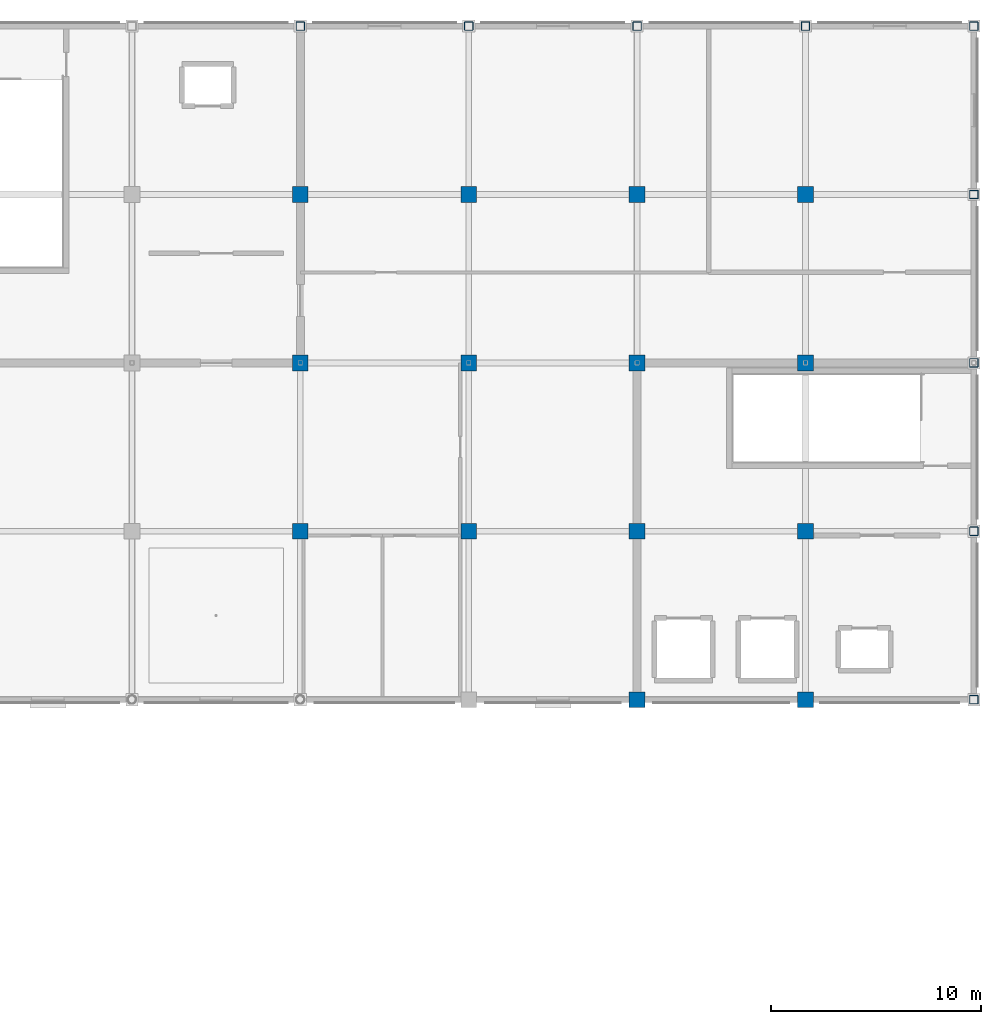
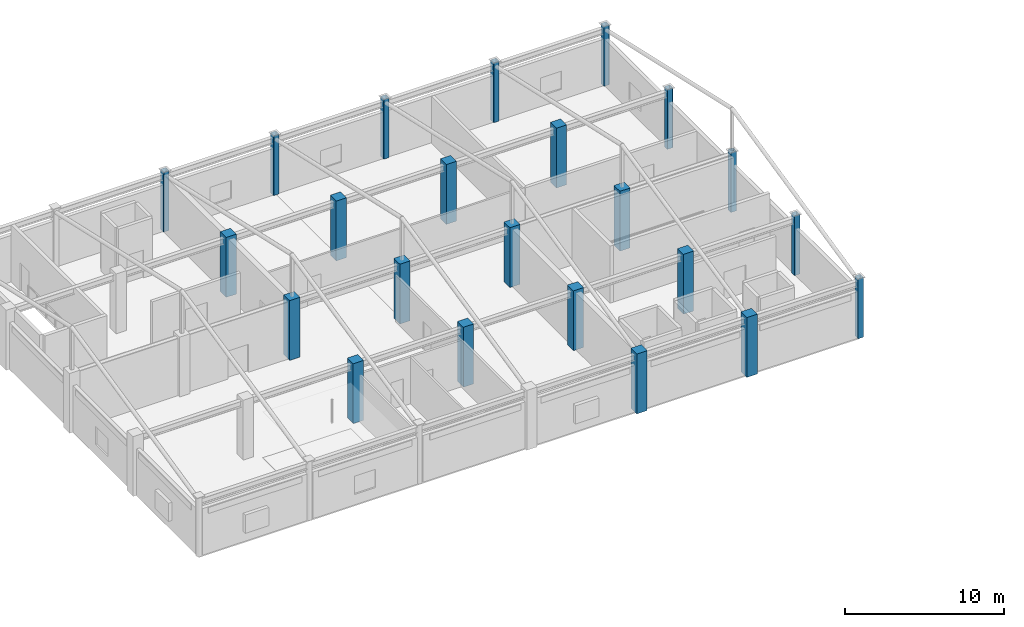
# One storey, part 3 of 16: 23 columns.
"""IFC4 building model written with IfcOpenShell, lengths in metres."""

from ifc_helpers import new_model, si_unit, direction, frame, origin, origin_2d, place, context, subcontext, project, spatial, rectangle, hollow_rectangle, extrude, material, material_profile, profile_set, type_object, element, save


model = new_model("IFC4")

# Units and contexts
model_context = context("Model", 3, precision=1e-05, world=origin(), true_north=direction((0.0, 1.0)))
body_context = subcontext(model_context, "Body", "Model", "MODEL_VIEW")
ifc_project = project(units=[si_unit("LENGTHUNIT", "METRE"), si_unit("AREAUNIT", "SQUARE_METRE"), si_unit("VOLUMEUNIT", "CUBIC_METRE"), si_unit("PLANEANGLEUNIT", "RADIAN"), si_unit("MASSUNIT", "GRAM", prefix="KILO")], contexts=[model_context])

# Site, building, storey
site_placement = place(None, origin())
site = spatial("IfcSite", under=ifc_project, at=site_placement, CompositionType="ELEMENT")
building_placement = place(site_placement, origin())
building = spatial("IfcBuilding", under=site, at=building_placement, Name="Solmirada Galleria", CompositionType="ELEMENT")
storey_placement = place(building_placement, frame((0.0, 0.0, 32.89990234375)))
storey = spatial("IfcBuildingStorey", under=building, at=storey_placement, Name="L07", CompositionType="ELEMENT", Elevation=32.89990234375)

# Columns
ifc_material_1 = material(Name="Steel S355 / ASTM A500 Grade C", Category="steel")
ifc_material_profile_1 = material_profile(ifc_material_1, hollow_rectangle(XDim=0.406005859375, YDim=0.406005859375, WallThickness=0.0146484375, InnerFilletRadius=0.0146484375, OuterFilletRadius=0.029296875, at=origin_2d()), Name="HSS16X16X5/8")
ifc_profile_set_1 = profile_set([ifc_material_profile_1], Name="Steel S355 / ASTM A500 Grade C")
column_type_1 = type_object("IfcColumnType", Name="COL-HSS16", PredefinedType="COLUMN", material=ifc_profile_set_1)
for number, where, z_axis, x_axis, name in (
    (1, (144.0, 120.0, 0.0), (0.0, 0.0, 1.0), (1.0, 0.0, 0.0), "Structural column L07-1290"),
    (2, (152.0, 120.0, 0.0), (0.0, 0.0, 1.0), (1.0, 0.0, 0.0), "Structural column L07-1363"),
    (3, (160.0, 120.0, 0.0), (0.0, 0.0, 1.0), (1.0, 0.0, 0.0), "Structural column L07-1436"),
    (4, (168.0, 120.0, 0.0), (0.0, 0.0, 1.0), (1.0, 0.0, 0.0), "Structural column L07-1509"),
    (5, (176.0, 88.0, 0.0), (0.0, 0.0, 1.0), (1.0, 0.0, 0.0), "Structural column L07-1546"),
    (6, (176.0, 96.0, 0.0), (0.0, 0.0, 1.0), (1.0, 0.0, 0.0), "Structural column L07-1555"),
    (7, (176.0, 104.0, 0.0), (0.0, 0.0, 1.0), (1.0, 0.0, 0.0), "Structural column L07-1564"),
    (8, (176.0, 112.0, 0.0), (0.0, 0.0, 1.0), (1.0, 0.0, 0.0), "Structural column L07-1573"),
    (9, (176.0, 120.0, 0.0), (0.0, 0.0, 1.0), (1.0, 0.0, 0.0), "Structural column L07-1582"),
):
    element("IfcColumn", number, at=place(storey_placement, frame(where, z_axis=z_axis, x_axis=x_axis)), inside=storey, type_object=column_type_1, Name=name, PredefinedType="COLUMN", context=body_context, shape_type="SweptSolid", body=[
        extrude(hollow_rectangle(XDim=0.406005859375, YDim=0.406005859375, WallThickness=0.0146484375, InnerFilletRadius=0.0146484375, OuterFilletRadius=0.029296875, at=origin_2d()), origin(), (0.0, 0.0, 1.0), 4.60009765625),
    ])
ifc_material_2 = material(Name="Concrete C40/50", Category="concrete")
ifc_material_profile_2 = material_profile(ifc_material_2, rectangle(XDim=0.75, YDim=0.75, at=origin_2d()), Name="RC750X750")
ifc_profile_set_2 = profile_set([ifc_material_profile_2], Name="Concrete C40/50")
column_type_2 = type_object("IfcColumnType", Name="COL-RC750", PredefinedType="COLUMN", material=ifc_profile_set_2)
for number, where, z_axis, x_axis, name in (
    (10, (144.0, 96.0, 0.0), (0.0, 0.0, 1.0), (1.0, 0.0, 0.0), "Structural column L07-1263"),
    (11, (144.0, 104.0, 0.0), (0.0, 0.0, 1.0), (1.0, 0.0, 0.0), "Structural column L07-1272"),
    (12, (144.0, 112.0, 0.0), (0.0, 0.0, 1.0), (1.0, 0.0, 0.0), "Structural column L07-1281"),
    (13, (152.0, 96.0, 0.0), (0.0, 0.0, 1.0), (1.0, 0.0, 0.0), "Structural column L07-1336"),
    (14, (152.0, 104.0, 0.0), (0.0, 0.0, 1.0), (1.0, 0.0, 0.0), "Structural column L07-1345"),
    (15, (152.0, 112.0, 0.0), (0.0, 0.0, 1.0), (1.0, 0.0, 0.0), "Structural column L07-1354"),
    (16, (160.0, 88.0, 0.0), (0.0, 0.0, 1.0), (1.0, 0.0, 0.0), "Structural column L07-1400"),
    (17, (160.0, 96.0, 0.0), (0.0, 0.0, 1.0), (1.0, 0.0, 0.0), "Structural column L07-1409"),
    (18, (160.0, 104.0, 0.0), (0.0, 0.0, 1.0), (1.0, 0.0, 0.0), "Structural column L07-1418"),
    (19, (160.0, 112.0, 0.0), (0.0, 0.0, 1.0), (1.0, 0.0, 0.0), "Structural column L07-1427"),
    (20, (168.0, 88.0, 0.0), (0.0, 0.0, 1.0), (1.0, 0.0, 0.0), "Structural column L07-1473"),
    (21, (168.0, 96.0, 0.0), (0.0, 0.0, 1.0), (1.0, 0.0, 0.0), "Structural column L07-1482"),
    (22, (168.0, 104.0, 0.0), (0.0, 0.0, 1.0), (1.0, 0.0, 0.0), "Structural column L07-1491"),
    (23, (168.0, 112.0, 0.0), (0.0, 0.0, 1.0), (1.0, 0.0, 0.0), "Structural column L07-1500"),
):
    element("IfcColumn", number, at=place(storey_placement, frame(where, z_axis=z_axis, x_axis=x_axis)), inside=storey, type_object=column_type_2, Name=name, PredefinedType="COLUMN", context=body_context, shape_type="SweptSolid", body=[
        extrude(rectangle(XDim=0.75, YDim=0.75, at=origin_2d()), origin(), (0.0, 0.0, 1.0), 4.60009765625),
    ])

save(model, "model.ifc")
